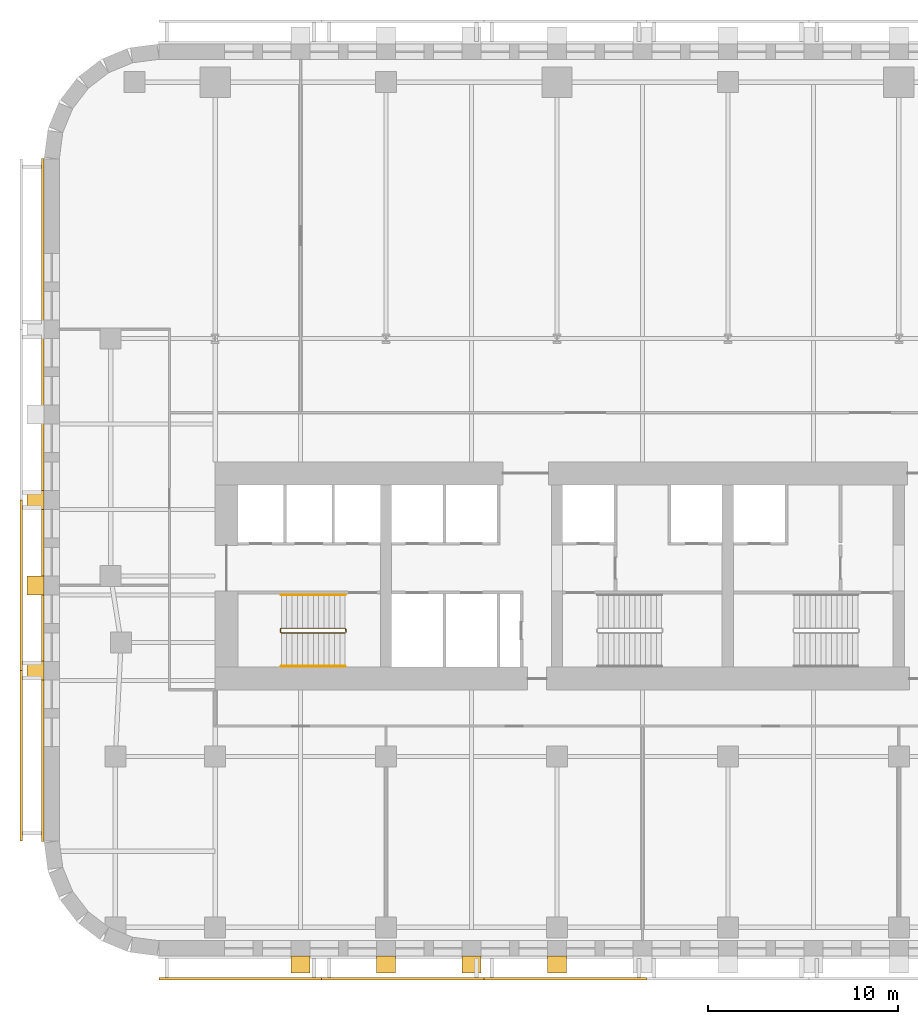
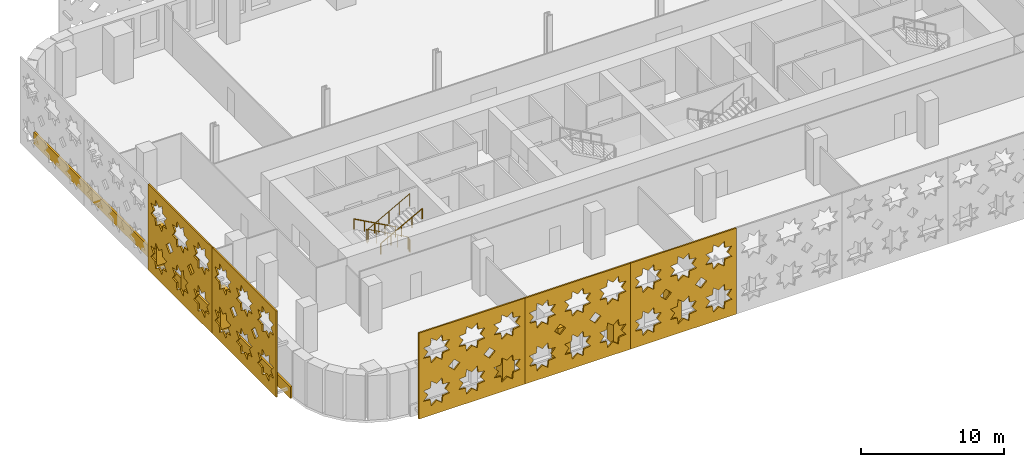
# One storey, part 9 of 13: 13 coverings, 3 railings.
"""IFC4 building model written with IfcOpenShell, lengths in metres."""

from ifc_helpers import new_model, si_unit, direction, frame, origin, origin_2d, place, context, subcontext, project, spatial, polyline, circle, outline, extrude, material, layer, layer_set, type_object, element, save


model = new_model("IFC4")

# Units and contexts
model_context = context("Model", 3, precision=1e-05, world=origin(), true_north=direction((0.0, 1.0)))
body_context = subcontext(model_context, "Body", "Model", "MODEL_VIEW")
ifc_project = project(units=[si_unit("LENGTHUNIT", "METRE"), si_unit("AREAUNIT", "SQUARE_METRE"), si_unit("VOLUMEUNIT", "CUBIC_METRE"), si_unit("PLANEANGLEUNIT", "RADIAN"), si_unit("MASSUNIT", "GRAM", prefix="KILO")], contexts=[model_context])

# Site, building, storey
site_placement = place(None, origin())
site = spatial("IfcSite", under=ifc_project, at=site_placement, CompositionType="ELEMENT")
building_placement = place(site_placement, origin())
building = spatial("IfcBuilding", under=site, at=building_placement, Name="Zellij Exchange Tower", CompositionType="ELEMENT")
storey_placement = place(building_placement, frame((0.0, 0.0, 60.5)))
storey = spatial("IfcBuildingStorey", under=building, at=storey_placement, Name="L11", CompositionType="ELEMENT", Elevation=60.5)

# Railings
ifc_material_1 = material(Name="Stainless steel", Category="steel")
railing_type_1 = type_object("IfcRailingType", Name="CORE-RG stair guard", PredefinedType="GUARDRAIL", material=ifc_material_1)
railing_1_placement = place(storey_placement, frame((-20.10009765625, -10.800048828125, 0.0)))
element("IfcRailing", 1, at=railing_1_placement, inside=storey, type_object=railing_type_1, Name="ST1 stair guard L11", PredefinedType="GUARDRAIL", context=body_context, shape_type="SweptSolid", body=[
    extrude(circle(Radius=0.02392578125, at=origin_2d()), frame((0.0, 0.0, 1.076171875), z_axis=(0.0, -1.0, 0.0), x_axis=(1.0, 0.0, 0.0)), (0.0, 0.0, 1.0), 0.14990234375),
    extrude(circle(Radius=0.02392578125, at=origin_2d()), frame((0.0, -0.14990234375, 1.076171875), z_axis=(-0.193691321961, 0.777613689637, 0.598164376644), x_axis=(-0.970351222016, -0.241699205484, 0.0)), (0.0, 0.0, 1.0), 0.257080078125),
    extrude(circle(Radius=0.02392578125, at=origin_2d()), frame((-0.0498046875, 0.050048828125, 1.22998046875), z_axis=(-0.876421534553, 0.0, 0.481544695509), x_axis=(0.0, -1.0, 0.0)), (0.0, 0.0, 1.0), 3.833984375),
    extrude(circle(Radius=0.02392578125, at=origin_2d()), frame((-3.409912109375, 0.050048828125, 3.076171875), z_axis=(-0.707106781187, -0.707106781187, 0.0), x_axis=(0.707106781187, -0.707106781187, 0.0)), (0.0, 0.0, 1.0), 0.07080078125),
    extrude(circle(Radius=0.02392578125, at=origin_2d()), frame((-3.4599609375, 0.0, 3.076171875), z_axis=(0.0, -1.0, 0.0), x_axis=(1.0, 0.0, 0.0)), (0.0, 0.0, 1.0), 0.14990234375),
    extrude(circle(Radius=0.02392578125, at=origin_2d()), frame((-3.4599609375, -0.14990234375, 3.076171875), z_axis=(0.295599637079, -0.295599637079, 0.908428152975), x_axis=(0.707106781187, 0.707106781187, 0.0)), (0.0, 0.0, 1.0), 0.16943359375),
    extrude(circle(Radius=0.02392578125, at=origin_2d()), frame((-3.409912109375, -0.199951171875, 3.22998046875), z_axis=(0.876421534553, 0.0, 0.481544695509), x_axis=(0.0, 1.0, 0.0)), (0.0, 0.0, 1.0), 3.833984375),
    extrude(circle(Radius=0.02099609375, at=origin_2d()), origin(), (0.0, 0.0, 1.0), 1.052001953125),
    extrude(circle(Radius=0.02099609375, at=origin_2d()), frame((0.0, -0.14990234375, 0.0)), (0.0, 0.0, 1.0), 1.052001953125),
    extrude(circle(Radius=0.02099609375, at=origin_2d()), frame((-0.0498046875, 0.050048828125, 0.15380859375)), (0.0, 0.0, 1.0), 1.052001953125),
    extrude(circle(Radius=0.02099609375, at=origin_2d()), frame((-0.889892578125, 0.050048828125, 0.615234375)), (0.0, 0.0, 1.0), 1.052001953125),
    extrude(circle(Radius=0.02099609375, at=origin_2d()), frame((-1.72998046875, 0.050048828125, 1.076904296875)), (0.0, 0.0, 1.0), 1.052001953125),
    extrude(circle(Radius=0.02099609375, at=origin_2d()), frame((-2.56982421875, 0.050048828125, 1.53857421875)), (0.0, 0.0, 1.0), 1.052001953125),
    extrude(circle(Radius=0.02099609375, at=origin_2d()), frame((-3.409912109375, 0.050048828125, 2.0)), (0.0, 0.0, 1.0), 1.052001953125),
    extrude(circle(Radius=0.02099609375, at=origin_2d()), frame((-3.4599609375, 0.0, 2.0)), (0.0, 0.0, 1.0), 1.052001953125),
    extrude(circle(Radius=0.02099609375, at=origin_2d()), frame((-3.4599609375, -0.14990234375, 2.0)), (0.0, 0.0, 1.0), 1.052001953125),
    extrude(circle(Radius=0.02099609375, at=origin_2d()), frame((-3.409912109375, -0.199951171875, 2.15380859375)), (0.0, 0.0, 1.0), 1.052001953125),
    extrude(circle(Radius=0.02099609375, at=origin_2d()), frame((-2.56982421875, -0.199951171875, 2.615234375)), (0.0, 0.0, 1.0), 1.052001953125),
    extrude(circle(Radius=0.02099609375, at=origin_2d()), frame((-1.72998046875, -0.199951171875, 3.076904296875)), (0.0, 0.0, 1.0), 1.052001953125),
    extrude(circle(Radius=0.02099609375, at=origin_2d()), frame((-0.889892578125, -0.199951171875, 3.53857421875)), (0.0, 0.0, 1.0), 1.052001953125),
    extrude(circle(Radius=0.02099609375, at=origin_2d()), frame((-0.0498046875, -0.199951171875, 4.0)), (0.0, 0.0, 1.0), 1.052001953125),
])
railing_type_2 = type_object("IfcRailingType", Name="CORE-RH stair handrail", PredefinedType="HANDRAIL", material=ifc_material_1)
railing_2_placement = place(storey_placement, frame((-20.14990234375, -9.0, 0.15380859375)))
element("IfcRailing", 2, at=railing_2_placement, inside=storey, type_object=railing_type_2, Name="ST1 stair handrail L11", PredefinedType="HANDRAIL", context=body_context, shape_type="SweptSolid", body=[
    extrude(circle(Radius=0.02392578125, at=origin_2d()), frame((0.0, 0.0, 0.8759765625), z_axis=(-0.876421534553, 0.0, 0.481544695509), x_axis=(0.0, -1.0, 0.0)), (0.0, 0.0, 1.0), 3.833984375),
    extrude(circle(Radius=0.02099609375, at=origin_2d()), origin(), (0.0, 0.0, 1.0), 0.851806640625),
    extrude(circle(Radius=0.02099609375, at=origin_2d()), frame((-0.840087890625, 0.0, 0.46142578125)), (0.0, 0.0, 1.0), 0.851806640625),
    extrude(circle(Radius=0.02099609375, at=origin_2d()), frame((-1.68017578125, 0.0, 0.923095703125)), (0.0, 0.0, 1.0), 0.851806640625),
    extrude(circle(Radius=0.02099609375, at=origin_2d()), frame((-2.52001953125, 0.0, 1.384765625)), (0.0, 0.0, 1.0), 0.851806640625),
    extrude(circle(Radius=0.02099609375, at=origin_2d()), frame((-3.360107421875, 0.0, 1.84619140625)), (0.0, 0.0, 1.0), 0.851806640625),
])
railing_3_placement = place(storey_placement, frame((-23.510009765625, -12.75, 2.15380859375)))
element("IfcRailing", 3, at=railing_3_placement, inside=storey, type_object=railing_type_2, Name="ST1 stair handrail L11", PredefinedType="HANDRAIL", context=body_context, shape_type="SweptSolid", body=[
    extrude(circle(Radius=0.02392578125, at=origin_2d()), frame((0.0, 0.0, 0.8759765625), z_axis=(0.876421534553, 0.0, 0.481544695509), x_axis=(0.0, 1.0, 0.0)), (0.0, 0.0, 1.0), 3.833984375),
    extrude(circle(Radius=0.02099609375, at=origin_2d()), origin(), (0.0, 0.0, 1.0), 0.851806640625),
    extrude(circle(Radius=0.02099609375, at=origin_2d()), frame((0.840087890625, 0.0, 0.46142578125)), (0.0, 0.0, 1.0), 0.851806640625),
    extrude(circle(Radius=0.02099609375, at=origin_2d()), frame((1.68017578125, 0.0, 0.923095703125)), (0.0, 0.0, 1.0), 0.851806640625),
    extrude(circle(Radius=0.02099609375, at=origin_2d()), frame((2.52001953125, 0.0, 1.384765625)), (0.0, 0.0, 1.0), 0.851806640625),
    extrude(circle(Radius=0.02099609375, at=origin_2d()), frame((3.360107421875, 0.0, 1.84619140625)), (0.0, 0.0, 1.0), 0.851806640625),
])

# Coverings
ifc_material_2 = material(Name="Limestone cladding", Category="masonry")
ifc_layer_1 = layer(ifc_material_2, 0.14990234375)
ifc_layer_set_1 = layer_set([ifc_layer_1], Name="Limestone cladding")
covering_type_1 = type_object("IfcCoveringType", Name="ENV-CV1 Stone spandrel band 150", PredefinedType="CLADDING", material=ifc_layer_set_1)
covering_1_placement = place(storey_placement, frame((0.0, 0.0, -0.199951171875)))
element("IfcCovering", 4, at=covering_1_placement, inside=storey, type_object=covering_type_1, Name="Stone spandrel band", PredefinedType="CLADDING", context=body_context, shape_type="SweptSolid", body=[
    extrude(outline(polyline([(-36.0, 13.973876953125), (-36.0, -21.973876953125), (-36.14990234375, -21.983642578125), (-36.14990234375, 13.983642578125), (-36.0, 13.973876953125)])), origin(), (0.0, 0.0, 1.0), 1.0),
])
covering_type_2 = type_object("IfcCoveringType", Name="ENV-CV2 Stone pier 1000x900", PredefinedType="CLADDING", material=ifc_material_2)
covering_2_placement = place(storey_placement, frame((0.0, 0.0, 0.800048828125)))
element("IfcCovering", 5, at=covering_2_placement, inside=storey, type_object=covering_type_2, Name="Stone pier", PredefinedType="CLADDING", context=body_context, shape_type="SweptSolid", body=[
    extrude(outline(polyline([(-23.0, -28.0), (-22.0, -28.0), (-22.0, -28.89990234375), (-23.0, -28.89990234375), (-23.0, -28.0)])), origin(), (0.0, 0.0, 1.0), 3.0),
])
covering_3_placement = place(storey_placement, frame((0.0, 0.0, 0.800048828125)))
element("IfcCovering", 6, at=covering_3_placement, inside=storey, type_object=covering_type_2, Name="Stone pier", PredefinedType="CLADDING", context=body_context, shape_type="SweptSolid", body=[
    extrude(outline(polyline([(-18.5, -28.0), (-17.5, -28.0), (-17.5, -28.89990234375), (-18.5, -28.89990234375), (-18.5, -28.0)])), origin(), (0.0, 0.0, 1.0), 3.0),
])
covering_4_placement = place(storey_placement, frame((0.0, 0.0, 0.800048828125)))
element("IfcCovering", 7, at=covering_4_placement, inside=storey, type_object=covering_type_2, Name="Stone pier", PredefinedType="CLADDING", context=body_context, shape_type="SweptSolid", body=[
    extrude(outline(polyline([(-14.0, -28.0), (-13.0, -28.0), (-13.0, -28.89990234375), (-14.0, -28.89990234375), (-14.0, -28.0)])), origin(), (0.0, 0.0, 1.0), 3.0),
])
covering_5_placement = place(storey_placement, frame((0.0, 0.0, 0.800048828125)))
element("IfcCovering", 8, at=covering_5_placement, inside=storey, type_object=covering_type_2, Name="Stone pier", PredefinedType="CLADDING", context=body_context, shape_type="SweptSolid", body=[
    extrude(outline(polyline([(-9.5, -28.0), (-8.5, -28.0), (-8.5, -28.89990234375), (-9.5, -28.89990234375), (-9.5, -28.0)])), origin(), (0.0, 0.0, 1.0), 3.0),
])
covering_6_placement = place(storey_placement, frame((0.0, 0.0, 0.800048828125)))
element("IfcCovering", 9, at=covering_6_placement, inside=storey, type_object=covering_type_2, Name="Stone pier", PredefinedType="CLADDING", context=body_context, shape_type="SweptSolid", body=[
    extrude(outline(polyline([(-36.0, -3.5), (-36.0, -4.5), (-36.89990234375, -4.5), (-36.89990234375, -3.5), (-36.0, -3.5)])), origin(), (0.0, 0.0, 1.0), 3.0),
])
covering_7_placement = place(storey_placement, frame((0.0, 0.0, 0.800048828125)))
element("IfcCovering", 10, at=covering_7_placement, inside=storey, type_object=covering_type_2, Name="Stone pier", PredefinedType="CLADDING", context=body_context, shape_type="SweptSolid", body=[
    extrude(outline(polyline([(-36.0, -7.993408203125), (-36.0, -8.993408203125), (-36.89990234375, -8.993408203125), (-36.89990234375, -7.993408203125), (-36.0, -7.993408203125)])), origin(), (0.0, 0.0, 1.0), 3.0),
])
covering_8_placement = place(storey_placement, frame((0.0, 0.0, 0.800048828125)))
element("IfcCovering", 11, at=covering_8_placement, inside=storey, type_object=covering_type_2, Name="Stone pier", PredefinedType="CLADDING", context=body_context, shape_type="SweptSolid", body=[
    extrude(outline(polyline([(-36.0, -12.48681640625), (-36.0, -13.48681640625), (-36.89990234375, -13.48681640625), (-36.89990234375, -12.48681640625), (-36.0, -12.48681640625)])), origin(), (0.0, 0.0, 1.0), 3.0),
])
ifc_material_3 = material(Name="Limestone screen", Category="masonry")
ifc_layer_2 = layer(ifc_material_3, 0.1201171875)
ifc_layer_set_2 = layer_set([ifc_layer_2], Name="Limestone screen")
covering_type_3 = type_object("IfcCoveringType", Name="ENV-SC1 Pierced stone screen 120", PredefinedType="USERDEFINED", material=ifc_layer_set_2)
covering_9_placement = place(storey_placement, frame((-37.2099609375, -4.0, 0.300048828125), z_axis=(0.0, 0.0, 1.0), x_axis=(0.0, -1.0, 0.0)))
element("IfcCovering", 12, at=covering_9_placement, inside=storey, type_object=covering_type_3, Name="Pierced stone screen", ObjectType="SCREEN", PredefinedType="USERDEFINED", context=body_context, shape_type="SweptSolid", body=[
    extrude(outline(polyline([(0.0, 0.0), (8.973876953125, 0.0), (8.973876953125, 7.35009765625), (0.0, 7.35009765625), (0.0, 0.0)]), holes=[polyline([(2.60107421875, 2.29541015625), (2.020263671875, 2.362060546875), (1.95361328125, 2.94287109375), (1.49560546875, 2.579345703125), (1.03759765625, 2.94287109375), (0.97119140625, 2.362060546875), (0.39013671875, 2.29541015625), (0.75390625, 1.83740234375), (0.39013671875, 1.379638671875), (0.97119140625, 1.31298828125), (1.03759765625, 0.732177734375), (1.49560546875, 1.095703125), (1.95361328125, 0.732177734375), (2.020263671875, 1.31298828125), (2.60107421875, 1.379638671875), (2.237548828125, 1.83740234375), (2.60107421875, 2.29541015625)]), polyline([(2.60107421875, 5.970458984375), (2.020263671875, 6.037109375), (1.95361328125, 6.617919921875), (1.49560546875, 6.25439453125), (1.03759765625, 6.617919921875), (0.97119140625, 6.037109375), (0.39013671875, 5.970458984375), (0.75390625, 5.512451171875), (0.39013671875, 5.0546875), (0.97119140625, 4.98779296875), (1.03759765625, 4.406982421875), (1.49560546875, 4.770751953125), (1.95361328125, 4.406982421875), (2.020263671875, 4.98779296875), (2.60107421875, 5.0546875), (2.237548828125, 5.512451171875), (2.60107421875, 5.970458984375)]), polyline([(5.59228515625, 2.29541015625), (5.011474609375, 2.362060546875), (4.94482421875, 2.94287109375), (4.48681640625, 2.579345703125), (4.029052734375, 2.94287109375), (3.96240234375, 2.362060546875), (3.381591796875, 2.29541015625), (3.7451171875, 1.83740234375), (3.381591796875, 1.379638671875), (3.96240234375, 1.31298828125), (4.029052734375, 0.732177734375), (4.48681640625, 1.095703125), (4.94482421875, 0.732177734375), (5.011474609375, 1.31298828125), (5.59228515625, 1.379638671875), (5.228759765625, 1.83740234375), (5.59228515625, 2.29541015625)]), polyline([(5.59228515625, 5.970458984375), (5.011474609375, 6.037109375), (4.94482421875, 6.617919921875), (4.48681640625, 6.25439453125), (4.029052734375, 6.617919921875), (3.96240234375, 6.037109375), (3.381591796875, 5.970458984375), (3.7451171875, 5.512451171875), (3.381591796875, 5.0546875), (3.96240234375, 4.98779296875), (4.029052734375, 4.406982421875), (4.48681640625, 4.770751953125), (4.94482421875, 4.406982421875), (5.011474609375, 4.98779296875), (5.59228515625, 5.0546875), (5.228759765625, 5.512451171875), (5.59228515625, 5.970458984375)]), polyline([(8.58349609375, 2.29541015625), (8.002685546875, 2.362060546875), (7.93603515625, 2.94287109375), (7.478271484375, 2.579345703125), (7.020263671875, 2.94287109375), (6.95361328125, 2.362060546875), (6.372802734375, 2.29541015625), (6.736328125, 1.83740234375), (6.372802734375, 1.379638671875), (6.95361328125, 1.31298828125), (7.020263671875, 0.732177734375), (7.478271484375, 1.095703125), (7.93603515625, 0.732177734375), (8.002685546875, 1.31298828125), (8.58349609375, 1.379638671875), (8.219970703125, 1.83740234375), (8.58349609375, 2.29541015625)]), polyline([(8.58349609375, 5.970458984375), (8.002685546875, 6.037109375), (7.93603515625, 6.617919921875), (7.478271484375, 6.25439453125), (7.020263671875, 6.617919921875), (6.95361328125, 6.037109375), (6.372802734375, 5.970458984375), (6.736328125, 5.512451171875), (6.372802734375, 5.0546875), (6.95361328125, 4.98779296875), (7.020263671875, 4.406982421875), (7.478271484375, 4.770751953125), (7.93603515625, 4.406982421875), (8.002685546875, 4.98779296875), (8.58349609375, 5.0546875), (8.219970703125, 5.512451171875), (8.58349609375, 5.970458984375)]), polyline([(3.469970703125, 3.675048828125), (2.9912109375, 4.153564453125), (2.5126953125, 3.675048828125), (2.9912109375, 3.1962890625), (3.469970703125, 3.675048828125)]), polyline([(6.461181640625, 3.675048828125), (5.982421875, 4.153564453125), (5.50390625, 3.675048828125), (5.982421875, 3.1962890625), (6.461181640625, 3.675048828125)])]), frame((0.0, 0.06005859375, 0.0), z_axis=(0.0, -1.0, 0.0), x_axis=(1.0, 0.0, 0.0)), (0.0, 0.0, 1.0), 0.1201171875),
])
covering_10_placement = place(storey_placement, frame((-37.2099609375, -12.973876953125, 0.300048828125), z_axis=(0.0, 0.0, 1.0), x_axis=(0.0, -1.0, 0.0)))
element("IfcCovering", 13, at=covering_10_placement, inside=storey, type_object=covering_type_3, Name="Pierced stone screen", ObjectType="SCREEN", PredefinedType="USERDEFINED", context=body_context, shape_type="SweptSolid", body=[
    extrude(outline(polyline([(0.0, 0.0), (8.973876953125, 0.0), (8.973876953125, 7.35009765625), (0.0, 7.35009765625), (0.0, 0.0)]), holes=[polyline([(2.60107421875, 2.29541015625), (2.020263671875, 2.362060546875), (1.95361328125, 2.94287109375), (1.49560546875, 2.579345703125), (1.03759765625, 2.94287109375), (0.97119140625, 2.362060546875), (0.39013671875, 2.29541015625), (0.75390625, 1.83740234375), (0.39013671875, 1.379638671875), (0.97119140625, 1.31298828125), (1.03759765625, 0.732177734375), (1.49560546875, 1.095703125), (1.95361328125, 0.732177734375), (2.020263671875, 1.31298828125), (2.60107421875, 1.379638671875), (2.237548828125, 1.83740234375), (2.60107421875, 2.29541015625)]), polyline([(2.60107421875, 5.970458984375), (2.020263671875, 6.037109375), (1.95361328125, 6.617919921875), (1.49560546875, 6.25439453125), (1.03759765625, 6.617919921875), (0.97119140625, 6.037109375), (0.39013671875, 5.970458984375), (0.75390625, 5.512451171875), (0.39013671875, 5.0546875), (0.97119140625, 4.98779296875), (1.03759765625, 4.406982421875), (1.49560546875, 4.770751953125), (1.95361328125, 4.406982421875), (2.020263671875, 4.98779296875), (2.60107421875, 5.0546875), (2.237548828125, 5.512451171875), (2.60107421875, 5.970458984375)]), polyline([(5.59228515625, 2.29541015625), (5.011474609375, 2.362060546875), (4.94482421875, 2.94287109375), (4.48681640625, 2.579345703125), (4.029052734375, 2.94287109375), (3.96240234375, 2.362060546875), (3.381591796875, 2.29541015625), (3.7451171875, 1.83740234375), (3.381591796875, 1.379638671875), (3.96240234375, 1.31298828125), (4.029052734375, 0.732177734375), (4.48681640625, 1.095703125), (4.94482421875, 0.732177734375), (5.011474609375, 1.31298828125), (5.59228515625, 1.379638671875), (5.228759765625, 1.83740234375), (5.59228515625, 2.29541015625)]), polyline([(5.59228515625, 5.970458984375), (5.011474609375, 6.037109375), (4.94482421875, 6.617919921875), (4.48681640625, 6.25439453125), (4.029052734375, 6.617919921875), (3.96240234375, 6.037109375), (3.381591796875, 5.970458984375), (3.7451171875, 5.512451171875), (3.381591796875, 5.0546875), (3.96240234375, 4.98779296875), (4.029052734375, 4.406982421875), (4.48681640625, 4.770751953125), (4.94482421875, 4.406982421875), (5.011474609375, 4.98779296875), (5.59228515625, 5.0546875), (5.228759765625, 5.512451171875), (5.59228515625, 5.970458984375)]), polyline([(8.58349609375, 2.29541015625), (8.002685546875, 2.362060546875), (7.93603515625, 2.94287109375), (7.478271484375, 2.579345703125), (7.020263671875, 2.94287109375), (6.95361328125, 2.362060546875), (6.372802734375, 2.29541015625), (6.736328125, 1.83740234375), (6.372802734375, 1.379638671875), (6.95361328125, 1.31298828125), (7.020263671875, 0.732177734375), (7.478271484375, 1.095703125), (7.93603515625, 0.732177734375), (8.002685546875, 1.31298828125), (8.58349609375, 1.379638671875), (8.219970703125, 1.83740234375), (8.58349609375, 2.29541015625)]), polyline([(8.58349609375, 5.970458984375), (8.002685546875, 6.037109375), (7.93603515625, 6.617919921875), (7.478271484375, 6.25439453125), (7.020263671875, 6.617919921875), (6.95361328125, 6.037109375), (6.372802734375, 5.970458984375), (6.736328125, 5.512451171875), (6.372802734375, 5.0546875), (6.95361328125, 4.98779296875), (7.020263671875, 4.406982421875), (7.478271484375, 4.770751953125), (7.93603515625, 4.406982421875), (8.002685546875, 4.98779296875), (8.58349609375, 5.0546875), (8.219970703125, 5.512451171875), (8.58349609375, 5.970458984375)]), polyline([(3.469970703125, 3.675048828125), (2.9912109375, 4.153564453125), (2.5126953125, 3.675048828125), (2.9912109375, 3.1962890625), (3.469970703125, 3.675048828125)]), polyline([(6.461181640625, 3.675048828125), (5.982421875, 4.153564453125), (5.50390625, 3.675048828125), (5.982421875, 3.1962890625), (6.461181640625, 3.675048828125)])]), frame((0.0, 0.06005859375, 0.0), z_axis=(0.0, -1.0, 0.0), x_axis=(1.0, 0.0, 0.0)), (0.0, 0.0, 1.0), 0.1201171875),
])
covering_11_placement = place(storey_placement, frame((-29.947509765625, -29.2099609375, 0.300048828125), z_axis=(0.0, 0.0, 1.0), x_axis=(1.0, 0.0, 0.0)))
element("IfcCovering", 14, at=covering_11_placement, inside=storey, type_object=covering_type_3, Name="Pierced stone screen", ObjectType="SCREEN", PredefinedType="USERDEFINED", context=body_context, shape_type="SweptSolid", body=[
    extrude(outline(polyline([(0.0, 0.0), (8.556396484375, 0.0), (8.556396484375, 7.35009765625), (0.0, 7.35009765625), (0.0, 0.0)]), holes=[polyline([(2.47998046875, 2.274169921875), (1.92626953125, 2.337646484375), (1.86279296875, 2.8916015625), (1.426025390625, 2.544921875), (0.989501953125, 2.8916015625), (0.92578125, 2.337646484375), (0.3720703125, 2.274169921875), (0.71875, 1.83740234375), (0.3720703125, 1.40087890625), (0.92578125, 1.33740234375), (0.989501953125, 0.783447265625), (1.426025390625, 1.130126953125), (1.86279296875, 0.783447265625), (1.92626953125, 1.33740234375), (2.47998046875, 1.40087890625), (2.13330078125, 1.83740234375), (2.47998046875, 2.274169921875)]), polyline([(2.47998046875, 5.94921875), (1.92626953125, 6.0126953125), (1.86279296875, 6.56640625), (1.426025390625, 6.2197265625), (0.989501953125, 6.56640625), (0.92578125, 6.0126953125), (0.3720703125, 5.94921875), (0.71875, 5.512451171875), (0.3720703125, 5.075927734375), (0.92578125, 5.01220703125), (0.989501953125, 4.45849609375), (1.426025390625, 4.80517578125), (1.86279296875, 4.45849609375), (1.92626953125, 5.01220703125), (2.47998046875, 5.075927734375), (2.13330078125, 5.512451171875), (2.47998046875, 5.94921875)]), polyline([(5.332275390625, 2.274169921875), (4.7783203125, 2.337646484375), (4.71484375, 2.8916015625), (4.2783203125, 2.544921875), (3.841552734375, 2.8916015625), (3.778076171875, 2.337646484375), (3.22412109375, 2.274169921875), (3.57080078125, 1.83740234375), (3.22412109375, 1.40087890625), (3.778076171875, 1.33740234375), (3.841552734375, 0.783447265625), (4.2783203125, 1.130126953125), (4.71484375, 0.783447265625), (4.7783203125, 1.33740234375), (5.332275390625, 1.40087890625), (4.985595703125, 1.83740234375), (5.332275390625, 2.274169921875)]), polyline([(5.332275390625, 5.94921875), (4.7783203125, 6.0126953125), (4.71484375, 6.56640625), (4.2783203125, 6.2197265625), (3.841552734375, 6.56640625), (3.778076171875, 6.0126953125), (3.22412109375, 5.94921875), (3.57080078125, 5.512451171875), (3.22412109375, 5.075927734375), (3.778076171875, 5.01220703125), (3.841552734375, 4.45849609375), (4.2783203125, 4.80517578125), (4.71484375, 4.45849609375), (4.7783203125, 5.01220703125), (5.332275390625, 5.075927734375), (4.985595703125, 5.512451171875), (5.332275390625, 5.94921875)]), polyline([(8.184326171875, 2.274169921875), (7.630615234375, 2.337646484375), (7.56689453125, 2.8916015625), (7.13037109375, 2.544921875), (6.69384765625, 2.8916015625), (6.630126953125, 2.337646484375), (6.076416015625, 2.274169921875), (6.423095703125, 1.83740234375), (6.076416015625, 1.40087890625), (6.630126953125, 1.33740234375), (6.69384765625, 0.783447265625), (7.13037109375, 1.130126953125), (7.56689453125, 0.783447265625), (7.630615234375, 1.33740234375), (8.184326171875, 1.40087890625), (7.837646484375, 1.83740234375), (8.184326171875, 2.274169921875)]), polyline([(8.184326171875, 5.94921875), (7.630615234375, 6.0126953125), (7.56689453125, 6.56640625), (7.13037109375, 6.2197265625), (6.69384765625, 6.56640625), (6.630126953125, 6.0126953125), (6.076416015625, 5.94921875), (6.423095703125, 5.512451171875), (6.076416015625, 5.075927734375), (6.630126953125, 5.01220703125), (6.69384765625, 4.45849609375), (7.13037109375, 4.80517578125), (7.56689453125, 4.45849609375), (7.630615234375, 5.01220703125), (8.184326171875, 5.075927734375), (7.837646484375, 5.512451171875), (8.184326171875, 5.94921875)]), polyline([(3.30859375, 3.675048828125), (2.852294921875, 4.13134765625), (2.395751953125, 3.675048828125), (2.852294921875, 3.21875), (3.30859375, 3.675048828125)]), polyline([(6.16064453125, 3.675048828125), (5.704345703125, 4.13134765625), (5.248046875, 3.675048828125), (5.704345703125, 3.21875), (6.16064453125, 3.675048828125)])]), frame((0.0, 0.06005859375, 0.0), z_axis=(0.0, -1.0, 0.0), x_axis=(1.0, 0.0, 0.0)), (0.0, 0.0, 1.0), 0.1201171875),
])
covering_12_placement = place(storey_placement, frame((-21.39111328125, -29.2099609375, 0.300048828125), z_axis=(0.0, 0.0, 1.0), x_axis=(1.0, 0.0, 0.0)))
element("IfcCovering", 15, at=covering_12_placement, inside=storey, type_object=covering_type_3, Name="Pierced stone screen", ObjectType="SCREEN", PredefinedType="USERDEFINED", context=body_context, shape_type="SweptSolid", body=[
    extrude(outline(polyline([(0.0, 0.0), (8.556396484375, 0.0), (8.556396484375, 7.35009765625), (0.0, 7.35009765625), (0.0, 0.0)]), holes=[polyline([(2.47998046875, 2.274169921875), (1.92626953125, 2.337646484375), (1.86279296875, 2.8916015625), (1.426025390625, 2.544921875), (0.989501953125, 2.8916015625), (0.92578125, 2.337646484375), (0.3720703125, 2.274169921875), (0.71875, 1.83740234375), (0.3720703125, 1.40087890625), (0.92578125, 1.33740234375), (0.989501953125, 0.783447265625), (1.426025390625, 1.130126953125), (1.86279296875, 0.783447265625), (1.92626953125, 1.33740234375), (2.47998046875, 1.40087890625), (2.13330078125, 1.83740234375), (2.47998046875, 2.274169921875)]), polyline([(2.47998046875, 5.94921875), (1.92626953125, 6.0126953125), (1.86279296875, 6.56640625), (1.426025390625, 6.2197265625), (0.989501953125, 6.56640625), (0.92578125, 6.0126953125), (0.3720703125, 5.94921875), (0.71875, 5.512451171875), (0.3720703125, 5.075927734375), (0.92578125, 5.01220703125), (0.989501953125, 4.45849609375), (1.426025390625, 4.80517578125), (1.86279296875, 4.45849609375), (1.92626953125, 5.01220703125), (2.47998046875, 5.075927734375), (2.13330078125, 5.512451171875), (2.47998046875, 5.94921875)]), polyline([(5.332275390625, 2.274169921875), (4.7783203125, 2.337646484375), (4.71484375, 2.8916015625), (4.2783203125, 2.544921875), (3.841552734375, 2.8916015625), (3.778076171875, 2.337646484375), (3.22412109375, 2.274169921875), (3.57080078125, 1.83740234375), (3.22412109375, 1.40087890625), (3.778076171875, 1.33740234375), (3.841552734375, 0.783447265625), (4.2783203125, 1.130126953125), (4.71484375, 0.783447265625), (4.7783203125, 1.33740234375), (5.332275390625, 1.40087890625), (4.985595703125, 1.83740234375), (5.332275390625, 2.274169921875)]), polyline([(5.332275390625, 5.94921875), (4.7783203125, 6.0126953125), (4.71484375, 6.56640625), (4.2783203125, 6.2197265625), (3.841552734375, 6.56640625), (3.778076171875, 6.0126953125), (3.22412109375, 5.94921875), (3.57080078125, 5.512451171875), (3.22412109375, 5.075927734375), (3.778076171875, 5.01220703125), (3.841552734375, 4.45849609375), (4.2783203125, 4.80517578125), (4.71484375, 4.45849609375), (4.7783203125, 5.01220703125), (5.332275390625, 5.075927734375), (4.985595703125, 5.512451171875), (5.332275390625, 5.94921875)]), polyline([(8.184326171875, 2.274169921875), (7.630615234375, 2.337646484375), (7.56689453125, 2.8916015625), (7.13037109375, 2.544921875), (6.69384765625, 2.8916015625), (6.630126953125, 2.337646484375), (6.076416015625, 2.274169921875), (6.423095703125, 1.83740234375), (6.076416015625, 1.40087890625), (6.630126953125, 1.33740234375), (6.69384765625, 0.783447265625), (7.13037109375, 1.130126953125), (7.56689453125, 0.783447265625), (7.630615234375, 1.33740234375), (8.184326171875, 1.40087890625), (7.837646484375, 1.83740234375), (8.184326171875, 2.274169921875)]), polyline([(8.184326171875, 5.94921875), (7.630615234375, 6.0126953125), (7.56689453125, 6.56640625), (7.13037109375, 6.2197265625), (6.69384765625, 6.56640625), (6.630126953125, 6.0126953125), (6.076416015625, 5.94921875), (6.423095703125, 5.512451171875), (6.076416015625, 5.075927734375), (6.630126953125, 5.01220703125), (6.69384765625, 4.45849609375), (7.13037109375, 4.80517578125), (7.56689453125, 4.45849609375), (7.630615234375, 5.01220703125), (8.184326171875, 5.075927734375), (7.837646484375, 5.512451171875), (8.184326171875, 5.94921875)]), polyline([(3.30859375, 3.675048828125), (2.852294921875, 4.13134765625), (2.395751953125, 3.675048828125), (2.852294921875, 3.21875), (3.30859375, 3.675048828125)]), polyline([(6.16064453125, 3.675048828125), (5.704345703125, 4.13134765625), (5.248046875, 3.675048828125), (5.704345703125, 3.21875), (6.16064453125, 3.675048828125)])]), frame((0.0, 0.06005859375, 0.0), z_axis=(0.0, -1.0, 0.0), x_axis=(1.0, 0.0, 0.0)), (0.0, 0.0, 1.0), 0.1201171875),
])
covering_13_placement = place(storey_placement, frame((-12.834716796875, -29.2099609375, 0.300048828125), z_axis=(0.0, 0.0, 1.0), x_axis=(1.0, 0.0, 0.0)))
element("IfcCovering", 16, at=covering_13_placement, inside=storey, type_object=covering_type_3, Name="Pierced stone screen", ObjectType="SCREEN", PredefinedType="USERDEFINED", context=body_context, shape_type="SweptSolid", body=[
    extrude(outline(polyline([(0.0, 0.0), (8.556396484375, 0.0), (8.556396484375, 7.35009765625), (0.0, 7.35009765625), (0.0, 0.0)]), holes=[polyline([(2.47998046875, 2.274169921875), (1.92626953125, 2.337646484375), (1.86279296875, 2.8916015625), (1.426025390625, 2.544921875), (0.989501953125, 2.8916015625), (0.92578125, 2.337646484375), (0.3720703125, 2.274169921875), (0.71875, 1.83740234375), (0.3720703125, 1.40087890625), (0.92578125, 1.33740234375), (0.989501953125, 0.783447265625), (1.426025390625, 1.130126953125), (1.86279296875, 0.783447265625), (1.92626953125, 1.33740234375), (2.47998046875, 1.40087890625), (2.13330078125, 1.83740234375), (2.47998046875, 2.274169921875)]), polyline([(2.47998046875, 5.94921875), (1.92626953125, 6.0126953125), (1.86279296875, 6.56640625), (1.426025390625, 6.2197265625), (0.989501953125, 6.56640625), (0.92578125, 6.0126953125), (0.3720703125, 5.94921875), (0.71875, 5.512451171875), (0.3720703125, 5.075927734375), (0.92578125, 5.01220703125), (0.989501953125, 4.45849609375), (1.426025390625, 4.80517578125), (1.86279296875, 4.45849609375), (1.92626953125, 5.01220703125), (2.47998046875, 5.075927734375), (2.13330078125, 5.512451171875), (2.47998046875, 5.94921875)]), polyline([(5.332275390625, 2.274169921875), (4.7783203125, 2.337646484375), (4.71484375, 2.8916015625), (4.2783203125, 2.544921875), (3.841552734375, 2.8916015625), (3.778076171875, 2.337646484375), (3.22412109375, 2.274169921875), (3.57080078125, 1.83740234375), (3.22412109375, 1.40087890625), (3.778076171875, 1.33740234375), (3.841552734375, 0.783447265625), (4.2783203125, 1.130126953125), (4.71484375, 0.783447265625), (4.7783203125, 1.33740234375), (5.332275390625, 1.40087890625), (4.985595703125, 1.83740234375), (5.332275390625, 2.274169921875)]), polyline([(5.332275390625, 5.94921875), (4.7783203125, 6.0126953125), (4.71484375, 6.56640625), (4.2783203125, 6.2197265625), (3.841552734375, 6.56640625), (3.778076171875, 6.0126953125), (3.22412109375, 5.94921875), (3.57080078125, 5.512451171875), (3.22412109375, 5.075927734375), (3.778076171875, 5.01220703125), (3.841552734375, 4.45849609375), (4.2783203125, 4.80517578125), (4.71484375, 4.45849609375), (4.7783203125, 5.01220703125), (5.332275390625, 5.075927734375), (4.985595703125, 5.512451171875), (5.332275390625, 5.94921875)]), polyline([(8.184326171875, 2.274169921875), (7.630615234375, 2.337646484375), (7.56689453125, 2.8916015625), (7.13037109375, 2.544921875), (6.69384765625, 2.8916015625), (6.630126953125, 2.337646484375), (6.076416015625, 2.274169921875), (6.423095703125, 1.83740234375), (6.076416015625, 1.40087890625), (6.630126953125, 1.33740234375), (6.69384765625, 0.783447265625), (7.13037109375, 1.130126953125), (7.56689453125, 0.783447265625), (7.630615234375, 1.33740234375), (8.184326171875, 1.40087890625), (7.837646484375, 1.83740234375), (8.184326171875, 2.274169921875)]), polyline([(8.184326171875, 5.94921875), (7.630615234375, 6.0126953125), (7.56689453125, 6.56640625), (7.13037109375, 6.2197265625), (6.69384765625, 6.56640625), (6.630126953125, 6.0126953125), (6.076416015625, 5.94921875), (6.423095703125, 5.512451171875), (6.076416015625, 5.075927734375), (6.630126953125, 5.01220703125), (6.69384765625, 4.45849609375), (7.13037109375, 4.80517578125), (7.56689453125, 4.45849609375), (7.630615234375, 5.01220703125), (8.184326171875, 5.075927734375), (7.837646484375, 5.512451171875), (8.184326171875, 5.94921875)]), polyline([(3.30859375, 3.675048828125), (2.852294921875, 4.13134765625), (2.395751953125, 3.675048828125), (2.852294921875, 3.21875), (3.30859375, 3.675048828125)]), polyline([(6.16064453125, 3.675048828125), (5.704345703125, 4.13134765625), (5.248046875, 3.675048828125), (5.704345703125, 3.21875), (6.16064453125, 3.675048828125)])]), frame((0.0, 0.06005859375, 0.0), z_axis=(0.0, -1.0, 0.0), x_axis=(1.0, 0.0, 0.0)), (0.0, 0.0, 1.0), 0.1201171875),
])

save(model, "model.ifc")
